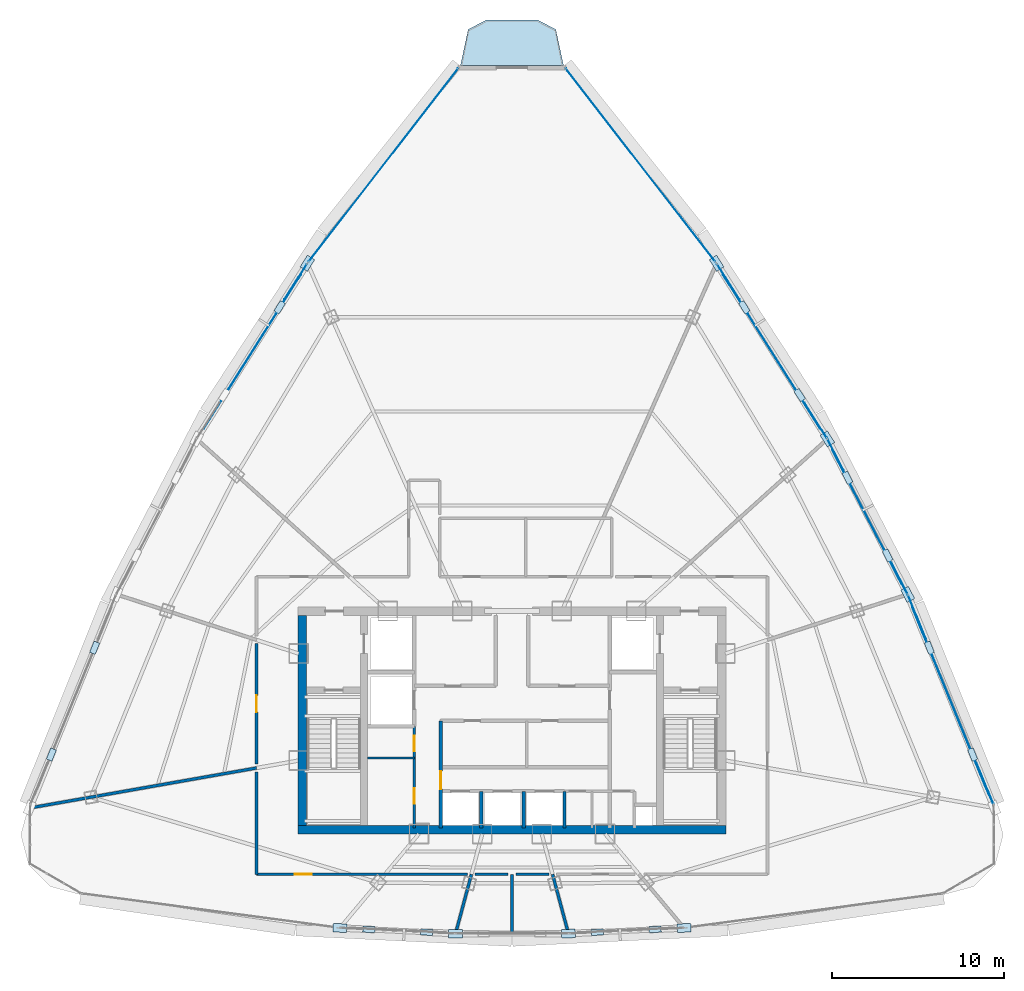
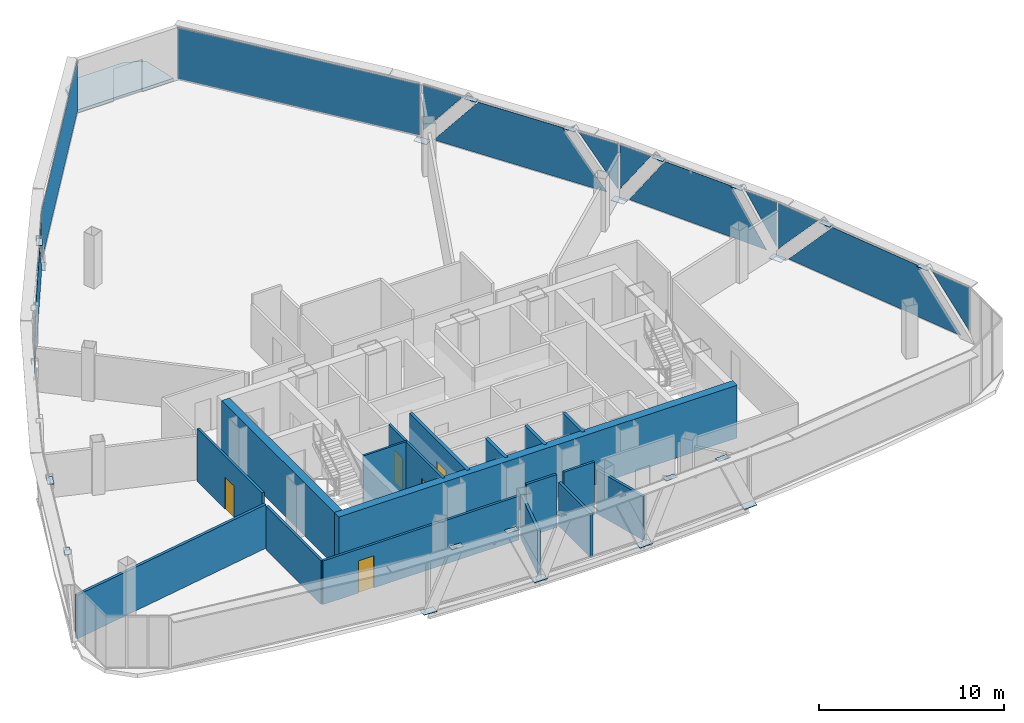
# One storey, part 22 of 28: 34 plates, 17 walls, 5 doors, 1 slab, 5 openings, 6 elements without a shape of their own.
"""IFC4 building model written with IfcOpenShell, lengths in metres."""

from ifc_helpers import new_model, si_unit, direction, frame, frame_2d, origin, origin_with_axes, origin_2d, place, context, subcontext, project, spatial, polyline, rectangle, outline, extrude, source, transform, mapped, material, layer, layer_set, type_object, element, fill, aggregate, save


model = new_model("IFC4")

# Units and contexts
model_context = context("Model", 3, precision=1e-05, world=origin(), true_north=direction((0.0, 1.0)))
body_context = subcontext(model_context, "Body", "Model", "MODEL_VIEW")
ifc_project = project(units=[si_unit("LENGTHUNIT", "METRE"), si_unit("AREAUNIT", "SQUARE_METRE"), si_unit("VOLUMEUNIT", "CUBIC_METRE"), si_unit("PLANEANGLEUNIT", "RADIAN"), si_unit("MASSUNIT", "GRAM", prefix="KILO"), si_unit("THERMODYNAMICTEMPERATUREUNIT", "KELVIN"), si_unit("POWERUNIT", "WATT")], contexts=[model_context])

# Site, building, storey
site_placement = place(None, origin())
site = spatial("IfcSite", under=ifc_project, at=site_placement, CompositionType="ELEMENT")
building_placement = place(site_placement, origin())
building = spatial("IfcBuilding", under=site, at=building_placement, Name="Yunzhuo Pagoda Commons", CompositionType="ELEMENT")
storey_placement = place(building_placement, frame((0.0, 0.0, 336.760009765625)))
storey = spatial("IfcBuildingStorey", under=building, at=storey_placement, Name="L84", CompositionType="ELEMENT", Elevation=336.760009765625)

# Curtain wall, plates
ifc_material_1 = material(Name="Anodized aluminium 6063-T6", Category="aluminium")
ifc_layer_1 = layer(ifc_material_1, 0.139892578125)
ifc_layer_set_1 = layer_set([ifc_layer_1], Name="Anodized aluminium 6063-T6")
curtain_wall_type = type_object("IfcCurtainWallType", Name="CW-HI High-Zone Ribbon Curtain Wall", PredefinedType="NOTDEFINED", material=ifc_layer_set_1)
curtain_wall_1_placement = place(storey_placement, origin())
curtain_wall_1 = element("IfcCurtainWall", 1, at=curtain_wall_1_placement, inside=storey, type_object=curtain_wall_type, Name="L84 curtain wall CW-L84-F2B2", PredefinedType="NOTDEFINED")
ifc_material_2 = material(Name="Tempered low-e double glazing", Category="glass")
ifc_layer_2 = layer(ifc_material_2, 0.02587890625)
ifc_layer_set_2 = layer_set([ifc_layer_2], Name="Tempered low-e double glazing")
plate_type_1 = type_object("IfcPlateType", Name="CW-HI-P Low-E Double Glazing 26", PredefinedType="CURTAIN_PANEL", material=ifc_layer_set_2)
plate_1_placement = place(storey_placement, frame((75.484619140625, 30.166748046875, 2.00634765625), z_axis=(0.925729863061, 0.37818543155, 0.0), x_axis=(-0.37818543155, 0.925729863061, 0.0)))
plate_1 = element("IfcPlate", 2, at=plate_1_placement, type_object=plate_type_1, Name="CW panel 1.1 lite 1", PredefinedType="CURTAIN_PANEL", context=body_context, shape_type="SweptSolid", body=[
    extrude(outline(polyline([(-1.2763671875, -1.4287109375), (1.2763671875, 1.4287109375), (-1.2763671875, 1.4287109375), (-1.2763671875, -1.4287109375)])), origin(), (0.0, 0.0, 1.0), 0.028076171875),
])
plate_2_placement = place(storey_placement, frame((73.495849609375, 34.955078125, 1.744873046875), z_axis=(0.925729863061, 0.37818543155, 0.0), x_axis=(-0.37818543155, 0.925729863061, 0.0)))
plate_2 = element("IfcPlate", 3, at=plate_2_placement, type_object=plate_type_1, Name="CW panel 1.1 lite 2", PredefinedType="CURTAIN_PANEL", context=body_context, shape_type="SweptSolid", body=[
    extrude(outline(polyline([(-5.908935546875, -1.68994140625), (5.908935546875, -1.68994140625), (2.889404296875, 1.68994140625), (-2.889404296875, 1.68994140625), (-5.908935546875, -1.68994140625)])), origin(), (0.0, 0.0, 1.0), 0.028076171875),
])
plate_3_placement = place(storey_placement, frame((71.529052734375, 39.848876953125, 1.90625), z_axis=(0.925729863061, 0.37818543155, 0.0), x_axis=(-0.37818543155, 0.925729863061, 0.0)))
plate_3 = element("IfcPlate", 4, at=plate_3_placement, type_object=plate_type_1, Name="CW panel 1.1 lite 3", PredefinedType="CURTAIN_PANEL", context=body_context, shape_type="SweptSolid", body=[
    extrude(outline(polyline([(-1.36572265625, 1.52880859375), (1.36572265625, -1.52880859375), (1.36572265625, 1.52880859375), (-1.36572265625, 1.52880859375)])), origin(), (0.0, 0.0, 1.0), 0.028076171875),
])
aggregate(curtain_wall_1, [plate_1, plate_2, plate_3])

curtain_wall_2_placement = place(storey_placement, origin())
curtain_wall_2 = element("IfcCurtainWall", 5, at=curtain_wall_2_placement, inside=storey, type_object=curtain_wall_type, Name="L84 curtain wall CW-L84-F2B3", PredefinedType="NOTDEFINED")
plate_4_placement = place(storey_placement, frame((70.507080078125, 42.103271484375, 1.97021484375), z_axis=(0.888380452968, 0.459108016467, 0.0), x_axis=(-0.459108016467, 0.888380452968, 0.0)))
plate_4 = element("IfcPlate", 6, at=plate_4_placement, type_object=plate_type_1, Name="CW panel 1.1 lite 1", PredefinedType="CURTAIN_PANEL", context=body_context, shape_type="SweptSolid", body=[
    extrude(outline(polyline([(-0.992919921875, -1.464599609375), (0.992919921875, 1.464599609375), (-0.992919921875, 1.464599609375), (-0.992919921875, -1.464599609375)])), origin(), (0.0, 0.0, 1.0), 0.028076171875),
])
plate_5_placement = place(storey_placement, frame((68.62939453125, 45.6708984375, 1.744873046875), z_axis=(0.888380452968, 0.459108016467, 0.0), x_axis=(-0.459108016467, 0.888380452968, 0.0)))
plate_5 = element("IfcPlate", 7, at=plate_5_placement, type_object=plate_type_1, Name="CW panel 1.1 lite 2", PredefinedType="CURTAIN_PANEL", context=body_context, shape_type="SweptSolid", body=[
    extrude(outline(polyline([(-4.411865234375, -1.68994140625), (4.411865234375, -1.68994140625), (2.120361328125, 1.68994140625), (-2.120361328125, 1.68994140625), (-4.411865234375, -1.68994140625)])), origin(), (0.0, 0.0, 1.0), 0.028076171875),
])
plate_6_placement = place(storey_placement, frame((66.80517578125, 49.266357421875, 1.97021484375), z_axis=(0.888380452968, 0.459108016467, 0.0), x_axis=(-0.459108016467, 0.888380452968, 0.0)))
plate_6 = element("IfcPlate", 8, at=plate_6_placement, type_object=plate_type_1, Name="CW panel 1.1 lite 3", PredefinedType="CURTAIN_PANEL", context=body_context, shape_type="SweptSolid", body=[
    extrude(outline(polyline([(-0.992919921875, 1.464599609375), (0.992919921875, -1.464599609375), (0.992919921875, 1.464599609375), (-0.992919921875, 1.464599609375)])), origin(), (0.0, 0.0, 1.0), 0.028076171875),
])
aggregate(curtain_wall_2, [plate_4, plate_5, plate_6])

curtain_wall_3_placement = place(storey_placement, origin())
curtain_wall_3 = element("IfcCurtainWall", 9, at=curtain_wall_3_placement, inside=storey, type_object=curtain_wall_type, Name="L84 curtain wall CW-L84-F2B4", PredefinedType="NOTDEFINED")
plate_7_placement = place(storey_placement, frame((65.643310546875, 51.277099609375, 1.927978515625), z_axis=(0.845817518552, 0.533472328532, 0.0), x_axis=(-0.533472328532, 0.845817518552, 0.0)))
plate_7 = element("IfcPlate", 10, at=plate_7_placement, type_object=plate_type_1, Name="CW panel 1.1 lite 1", PredefinedType="CURTAIN_PANEL", context=body_context, shape_type="SweptSolid", body=[
    extrude(outline(polyline([(-1.212890625, -1.507080078125), (1.212890625, 1.507080078125), (-1.212890625, 1.507080078125), (-1.212890625, -1.507080078125)])), origin(), (0.0, 0.0, 1.0), 0.028076171875),
])
plate_8_placement = place(storey_placement, frame((63.077392578125, 55.2890625, 1.744873046875), z_axis=(0.845817518552, 0.533472328532, 0.0), x_axis=(-0.533472328532, 0.845817518552, 0.0)))
plate_8 = element("IfcPlate", 11, at=plate_8_placement, type_object=plate_type_1, Name="CW panel 1.1 lite 2", PredefinedType="CURTAIN_PANEL", context=body_context, shape_type="SweptSolid", body=[
    extrude(outline(polyline([(-5.293701171875, -1.68994140625), (5.293701171875, -1.68994140625), (2.573974609375, 1.68994140625), (-2.573974609375, 1.68994140625), (-5.293701171875, -1.68994140625)])), origin(), (0.0, 0.0, 1.0), 0.028076171875),
])
plate_9_placement = place(storey_placement, frame((60.562255859375, 59.3330078125, 1.927978515625), z_axis=(0.845817518552, 0.533472328532, 0.0), x_axis=(-0.533472328532, 0.845817518552, 0.0)))
plate_9 = element("IfcPlate", 12, at=plate_9_placement, type_object=plate_type_1, Name="CW panel 1.1 lite 3", PredefinedType="CURTAIN_PANEL", context=body_context, shape_type="SweptSolid", body=[
    extrude(outline(polyline([(-1.212890625, 1.507080078125), (1.212890625, -1.507080078125), (1.212890625, 1.507080078125), (-1.212890625, 1.507080078125)])), origin(), (0.0, 0.0, 1.0), 0.028076171875),
])
aggregate(curtain_wall_3, [plate_7, plate_8, plate_9])

curtain_wall_4_placement = place(storey_placement, origin())
curtain_wall_4 = element("IfcCurtainWall", 13, at=curtain_wall_4_placement, inside=storey, type_object=curtain_wall_type, Name="L84 curtain wall CW-L84-F3B2", PredefinedType="NOTDEFINED")
plate_10_placement = place(storey_placement, frame((35.437744140625, 59.3330078125, 1.927978515625), z_axis=(-0.845817518552, 0.533472328532, 0.0), x_axis=(-0.533472328532, -0.845817518552, 0.0)))
plate_10 = element("IfcPlate", 14, at=plate_10_placement, type_object=plate_type_1, Name="CW panel 1.1 lite 1", PredefinedType="CURTAIN_PANEL", context=body_context, shape_type="SweptSolid", body=[
    extrude(outline(polyline([(-1.212890625, -1.507080078125), (1.212890625, 1.507080078125), (-1.212890625, 1.507080078125), (-1.212890625, -1.507080078125)])), origin(), (0.0, 0.0, 1.0), 0.028076171875),
])
plate_11_placement = place(storey_placement, frame((32.922607421875, 55.2890625, 1.744873046875), z_axis=(-0.845817518552, 0.533472328532, 0.0), x_axis=(-0.533472328532, -0.845817518552, 0.0)))
plate_11 = element("IfcPlate", 15, at=plate_11_placement, type_object=plate_type_1, Name="CW panel 1.1 lite 2", PredefinedType="CURTAIN_PANEL", context=body_context, shape_type="SweptSolid", body=[
    extrude(outline(polyline([(-5.293701171875, -1.68994140625), (5.293701171875, -1.68994140625), (2.573974609375, 1.68994140625), (-2.573974609375, 1.68994140625), (-5.293701171875, -1.68994140625)])), origin(), (0.0, 0.0, 1.0), 0.028076171875),
])
aggregate(curtain_wall_4, [plate_10, plate_11])

# Slab
ifc_material_3 = material(Name="Concrete C40", Category="concrete")
ifc_layer_3 = layer(ifc_material_3, 0.199951171875)
ifc_layer_set_3 = layer_set([ifc_layer_3], Name="Concrete C40")
slab_type = type_object("IfcSlabType", Name="SL-BAL Vertex Balcony Deck Slab 200", PredefinedType="FLOOR", material=ifc_layer_set_3)
slab_placement = place(storey_placement, frame((0.0, 0.0, -0.199951171875)))
element("IfcSlab", 16, at=slab_placement, inside=storey, type_object=slab_type, Name="L84 corner balcony V3", PredefinedType="FLOOR", context=body_context, shape_type="SweptSolid", body=[
    extrude(outline(polyline([(50.996337890625, 71.916259765625), (45.003662109375, 71.916259765625), (45.45361328125, 74.01123046875), (46.501708984375, 74.561279296875), (49.498291015625, 74.561279296875), (50.54638671875, 74.01123046875), (50.996337890625, 71.916259765625)])), origin(), (0.0, 0.0, 1.0), 0.199951171875),
])

# Plates
ifc_material_4 = material(Name="Structural steel Q355B", Category="steel")
ifc_layer_4 = layer(ifc_material_4, 0.028076171875)
ifc_layer_set_4 = layer_set([ifc_layer_4], Name="Structural steel Q355B")
plate_type_2 = type_object("IfcPlateType", Name="SP-ND1 Lattice Node Cap Plate 800x500x28", PredefinedType="USERDEFINED", material=ifc_layer_set_4)
shared_shape_1 = source(origin(), body_context, "Body", "SweptSolid", [
    extrude(rectangle(XDim=0.800048828125, YDim=0.5, at=origin_2d()), origin(), (0.0, 0.0, 1.0), 0.028076171875),
])
for number, where, z_axis, x_axis, name in (
    (17, (37.9990234375, 21.781494140625, -0.27392578125), (0.0, 0.0, 1.0), (0.998803578204, -0.048902067096, 0.0), "L84 diamond node plate F1.1A"),
    (18, (44.71826171875, 21.452392578125, -0.27392578125), (0.0, 0.0, 1.0), (1.0, 0.0, 0.0), "L84 diamond node plate F1.2A"),
    (19, (51.28173828125, 21.452392578125, -0.27392578125), (0.0, 0.0, 1.0), (0.998803578204, 0.048902067096, 0.0), "L84 diamond node plate F1.3A"),
    (20, (58.0009765625, 21.781494140625, -0.27392578125), (0.0, 0.0, 1.0), (0.998803578204, 0.048902067096, 0.0), "L84 diamond node plate F1.3B"),
    (21, (71.0029296875, 41.174072265625, -0.27392578125), (0.0, 0.0, 1.0), (-0.459114770487, 0.888376962511, 0.0), "L84 diamond node plate F2.2A"),
    (22, (66.334228515625, 50.2080078125, -0.27392578125), (0.0, 0.0, 1.0), (-0.533466900438, 0.845820942125, 0.0), "L84 diamond node plate F2.3A"),
    (23, (59.895263671875, 60.4169921875, -0.27392578125), (0.0, 0.0, 1.0), (-0.533466900438, 0.845820942125, 0.0), "L84 diamond node plate F2.3B"),
    (24, (36.104736328125, 60.4169921875, -0.27392578125), (0.0, 0.0, 1.0), (-0.533466900438, -0.845820942125, 0.0), "L84 diamond node plate F3.1A"),
):
    element("IfcPlate", number, at=place(storey_placement, frame(where, z_axis=z_axis, x_axis=x_axis)), inside=storey, type_object=plate_type_2, Name=name, ObjectType="STIFFENER_PLATE", PredefinedType="USERDEFINED", context=body_context, shape_type="MappedRepresentation", body=[
        mapped(shared_shape_1, transform((0.0, 0.0, 0.0), scale=1.0)),
    ])
shared_shape_2 = source(origin(), body_context, "Body", "SweptSolid", [
    extrude(rectangle(XDim=0.699951171875, YDim=0.35009765625, at=origin_2d()), origin(), (0.0, 0.0, 1.0), 0.035888671875),
])
for number, where, z_axis, x_axis, name in (
    (25, (39.678955078125, 21.69921875, 3.4521484375), (0.0, 0.0, 1.0), (0.998803578204, -0.048902067096, 0.0), "L84 setback lattice tie plate F1.1L"),
    (26, (43.03857421875, 21.53466796875, 3.4521484375), (0.0, 0.0, 1.0), (0.998803578204, -0.048902067096, 0.0), "L84 setback lattice tie plate F1.1R"),
    (27, (52.96142578125, 21.53466796875, 3.4521484375), (0.0, 0.0, 1.0), (0.998803578204, 0.048902067096, 0.0), "L84 setback lattice tie plate F1.3L"),
    (28, (56.321044921875, 21.69921875, 3.4521484375), (0.0, 0.0, 1.0), (0.998803578204, 0.048902067096, 0.0), "L84 setback lattice tie plate F1.3R"),
    (29, (74.779296875, 31.860595703125, 3.4521484375), (0.0, 0.0, 1.0), (-0.375755256687, 0.926718936395, 0.0), "L84 setback lattice tie plate F2.1L"),
    (30, (72.26171875, 38.069580078125, 3.4521484375), (0.0, 0.0, 1.0), (-0.375755256687, 0.926718936395, 0.0), "L84 setback lattice tie plate F2.1R"),
    (31, (69.835693359375, 43.4326171875, 3.4521484375), (0.0, 0.0, 1.0), (-0.459114770487, 0.888376962511, 0.0), "L84 setback lattice tie plate F2.2L"),
    (32, (67.50146484375, 47.94970703125, 3.4521484375), (0.0, 0.0, 1.0), (-0.459114770487, 0.888376962511, 0.0), "L84 setback lattice tie plate F2.2R"),
    (33, (64.724365234375, 52.760498046875, 3.4521484375), (0.0, 0.0, 1.0), (-0.533466900438, 0.845820942125, 0.0), "L84 setback lattice tie plate F2.3L"),
    (34, (61.5048828125, 57.86474609375, 3.4521484375), (0.0, 0.0, 1.0), (-0.533466900438, 0.845820942125, 0.0), "L84 setback lattice tie plate F2.3R"),
    (35, (34.4951171875, 57.86474609375, 3.4521484375), (0.0, 0.0, 1.0), (-0.533466900438, -0.845820942125, 0.0), "L84 setback lattice tie plate F3.1L"),
    (36, (23.73828125, 38.069580078125, 3.4521484375), (0.0, 0.0, 1.0), (-0.375755256687, -0.926718936395, 0.0), "L84 setback lattice tie plate F3.3L"),
    (37, (21.220703125, 31.860595703125, 3.4521484375), (0.0, 0.0, 1.0), (-0.375755256687, -0.926718936395, 0.0), "L84 setback lattice tie plate F3.3R"),
):
    element("IfcPlate", number, at=place(storey_placement, frame(where, z_axis=z_axis, x_axis=x_axis)), inside=storey, type_object=plate_type_2, Name=name, ObjectType="STIFFENER_PLATE", PredefinedType="USERDEFINED", context=body_context, shape_type="MappedRepresentation", body=[
        mapped(shared_shape_2, transform((0.0, 0.0, 0.0), scale=1.0)),
    ])

# Curtain wall, plate
curtain_wall_5_placement = place(storey_placement, origin())
curtain_wall_5 = element("IfcCurtainWall", 38, at=curtain_wall_5_placement, inside=storey, type_object=curtain_wall_type, Name="L84 curtain wall CW-L84-F2B5", PredefinedType="NOTDEFINED")
shared_shape_3 = source(origin(), body_context, "Body", "SweptSolid", [
    extrude(rectangle(XDim=14.180419921875, YDim=0.028076171875, at=origin_2d()), origin(), (0.0, 0.0, 1.0), 3.3798828125),
])
plate_12_placement = place(storey_placement, frame((55.470458984375, 66.12890625, 0.054931640625), z_axis=(0.0, 0.0, 1.0), x_axis=(-0.612426610189, 0.79052744869, 0.0)))
plate_12 = element("IfcPlate", 39, at=plate_12_placement, type_object=plate_type_1, Name="CW panel 1.1", PredefinedType="CURTAIN_PANEL", context=body_context, shape_type="MappedRepresentation", body=[
    mapped(shared_shape_3, transform((0.0, 0.0, 0.0), scale=1.0)),
])
aggregate(curtain_wall_5, [plate_12])

curtain_wall_6_placement = place(storey_placement, origin())
curtain_wall_6 = element("IfcCurtainWall", 40, at=curtain_wall_6_placement, inside=storey, type_object=curtain_wall_type, Name="L84 curtain wall CW-L84-F3B1", PredefinedType="NOTDEFINED")
plate_13_placement = place(storey_placement, frame((40.529541015625, 66.12890625, 0.054931640625), z_axis=(0.0, 0.0, 1.0), x_axis=(-0.612426610189, -0.79052744869, 0.0)))
plate_13 = element("IfcPlate", 41, at=plate_13_placement, type_object=plate_type_1, Name="CW panel 1.1", PredefinedType="CURTAIN_PANEL", context=body_context, shape_type="MappedRepresentation", body=[
    mapped(shared_shape_3, transform((0.0, 0.0, 0.0), scale=1.0)),
])
aggregate(curtain_wall_6, [plate_13])

# Walls
ifc_material_5 = material(Name="Concrete C50", Category="concrete")
ifc_layer_5 = layer(ifc_material_5, 0.5)
ifc_layer_set_5 = layer_set([ifc_layer_5], Name="Concrete C50")
wall_type_1 = type_object("IfcWallType", Name="W-C03 Upper Core Shear Wall 500", PredefinedType="SHEAR", material=ifc_layer_set_5)
wall_1_placement = place(storey_placement, frame((35.550048828125, 27.5, 0.0), z_axis=(0.0, 0.0, 1.0), x_axis=(1.0, 0.0, 0.0)))
element("IfcWall", 42, at=wall_1_placement, inside=storey, type_object=wall_type_1, Name="L84 core shear wall S", PredefinedType="SHEAR", context=body_context, shape_type="SweptSolid", body=[
    extrude(rectangle(XDim=24.89990234375, YDim=0.5, at=frame_2d((12.449951171875, 0.0))), origin(), (0.0, 0.0, 1.0), 3.489990234375),
])
wall_2_placement = place(storey_placement, frame((35.800048828125, 27.75, 0.0), z_axis=(0.0, 0.0, 1.0), x_axis=(0.0, 1.0, 0.0)))
element("IfcWall", 43, at=wall_2_placement, inside=storey, type_object=wall_type_1, Name="L84 core shear wall W", PredefinedType="SHEAR", context=body_context, shape_type="SweptSolid", body=[
    extrude(rectangle(XDim=12.199951171875, YDim=0.5, at=frame_2d((6.10009765625, 0.0))), origin(), (0.0, 0.0, 1.0), 3.489990234375),
])

# Wall, openings, doors
ifc_material_6 = material(Name="Gypsum plasterboard on acoustic stud")
ifc_layer_6 = layer(ifc_material_6, 0.14990234375)
ifc_layer_set_6 = layer_set([ifc_layer_6], Name="Gypsum plasterboard on acoustic stud")
wall_type_2 = type_object("IfcWallType", Name="W-COR3 High-Zone Rated Corridor Wall 150", PredefinedType="PARTITIONING", material=ifc_layer_set_6)
wall_3_placement = place(storey_placement, frame((42.320068359375, 27.60009765625, 0.0), z_axis=(0.0, 0.0, 1.0), x_axis=(0.0, 1.0, 0.0)))
wall_3 = element("IfcWall", 44, at=wall_3_placement, inside=storey, type_object=wall_type_2, Name="L84 interior wall IW-L84-CSWE", PredefinedType="PARTITIONING", context=body_context, shape_type="SweptSolid", body=[
    extrude(rectangle(XDim=5.89990234375, YDim=0.14990234375, at=frame_2d((2.949951171875, 0.0))), origin(), (0.0, 0.0, 1.0), 3.489990234375),
])
opening_1_placement = place(wall_3_placement, frame((1.39990234375, 0.0, 0.0)))
opening_1 = element("IfcOpeningElement", 45, at=opening_1_placement, cuts=wall_3, Name="Opening D-03", PredefinedType="OPENING", context=body_context, shape_type="SweptSolid", body=[
    extrude(rectangle(XDim=0.89990234375, YDim=2.10009765625, at=frame_2d((0.449951171875, 1.050048828125))), frame((0.0, 0.0849609375, 0.0), z_axis=(0.0, -1.0, 0.0), x_axis=(1.0, 0.0, 0.0)), (0.0, 0.0, 1.0), 0.169921875),
])
opening_2_placement = place(wall_3_placement, frame((4.449951171875, 0.0, 0.0)))
opening_2 = element("IfcOpeningElement", 46, at=opening_2_placement, cuts=wall_3, Name="Opening D-03", PredefinedType="OPENING", context=body_context, shape_type="SweptSolid", body=[
    extrude(rectangle(XDim=0.89990234375, YDim=2.10009765625, at=frame_2d((0.449951171875, 1.050048828125))), frame((0.0, 0.0849609375, 0.0), z_axis=(0.0, -1.0, 0.0), x_axis=(1.0, 0.0, 0.0)), (0.0, 0.0, 1.0), 0.169921875),
])
ifc_material_7 = material(Name="Galvanized fire-resisting metal leaf")
door_type_1 = type_object("IfcDoorType", Name="D-03 Core Service Fire Door 900x2100", OperationType="NOTDEFINED", PredefinedType="DOOR", material=ifc_material_7)
shared_shape_4 = source(origin(), body_context, "Body", "SweptSolid", [
    extrude(rectangle(XDim=0.89990234375, YDim=2.10009765625, at=frame_2d((0.449951171875, 1.050048828125))), frame((0.0, 0.02490234375, 0.0), z_axis=(0.0, -1.0, 0.0), x_axis=(1.0, 0.0, 0.0)), (0.0, 0.0, 1.0), 0.050048828125),
])
door_1_placement = place(opening_1_placement, origin_with_axes())
door_1 = element("IfcDoor", 47, at=door_1_placement, inside=storey, type_object=door_type_1, Name="L84 service store door", OperationType="SINGLE_SWING_LEFT", OverallHeight=2.10009765625, OverallWidth=0.89990234375, PredefinedType="DOOR", context=body_context, shape_type="MappedRepresentation", body=[
    mapped(shared_shape_4, transform((0.0, 0.0, 0.0), scale=1.0)),
])
fill(opening_1, door_1)
door_2_placement = place(opening_2_placement, origin_with_axes())
door_2 = element("IfcDoor", 48, at=door_2_placement, inside=storey, type_object=door_type_1, Name="L84 switch closet door", OperationType="SINGLE_SWING_RIGHT", OverallHeight=2.10009765625, OverallWidth=0.89990234375, PredefinedType="DOOR", context=body_context, shape_type="MappedRepresentation", body=[
    mapped(shared_shape_4, transform((0.0, 0.0, 0.0), scale=1.0)),
])
fill(opening_2, door_2)

# Wall
wall_4_placement = place(storey_placement, frame((33.14990234375, 24.89990234375, 0.0), z_axis=(0.0, 0.0, 1.0), x_axis=(0.0, 1.0, 0.0)))
element("IfcWall", 49, at=wall_4_placement, inside=storey, type_object=wall_type_2, Name="L84 interior wall IW-L84-CWL01", PredefinedType="PARTITIONING", context=body_context, shape_type="SweptSolid", body=[
    extrude(rectangle(XDim=5.958251953125, YDim=0.14990234375, at=frame_2d((2.97900390625, 0.0))), origin(), (0.0, 0.0, 1.0), 2.889892578125),
])

# Wall, opening, door
wall_5_placement = place(storey_placement, frame((33.14990234375, 31.30126953125, 0.0), z_axis=(0.0, 0.0, 1.0), x_axis=(0.0, 1.0, 0.0)))
wall_5 = element("IfcWall", 50, at=wall_5_placement, inside=storey, type_object=wall_type_2, Name="L84 interior wall IW-L84-CWL02", PredefinedType="PARTITIONING", context=body_context, shape_type="SweptSolid", body=[
    extrude(rectangle(XDim=7.004150390625, YDim=0.14990234375, at=frame_2d((3.501953125, 0.0))), origin(), (0.0, 0.0, 1.0), 3.489990234375),
])
opening_3_placement = place(wall_5_placement, frame((3.027099609375, 0.0, 0.0)))
opening_3 = element("IfcOpeningElement", 51, at=opening_3_placement, cuts=wall_5, Name="Opening D-08", PredefinedType="OPENING", context=body_context, shape_type="SweptSolid", body=[
    extrude(rectangle(XDim=0.97998046875, YDim=2.1201171875, at=frame_2d((0.489990234375, 1.06005859375))), frame((0.0, 0.0849609375, 0.0), z_axis=(0.0, -1.0, 0.0), x_axis=(1.0, 0.0, 0.0)), (0.0, 0.0, 1.0), 0.169921875),
])
door_type_2 = type_object("IfcDoorType", Name="D-08 High-Zone Suite Entrance Fire Door 980x2120", OperationType="NOTDEFINED", PredefinedType="DOOR", material=ifc_material_7)
shared_shape_5 = source(origin(), body_context, "Body", "SweptSolid", [
    extrude(rectangle(XDim=0.97998046875, YDim=2.1201171875, at=frame_2d((0.489990234375, 1.06005859375))), frame((0.0, 0.02490234375, 0.0), z_axis=(0.0, -1.0, 0.0), x_axis=(1.0, 0.0, 0.0)), (0.0, 0.0, 1.0), 0.050048828125),
])
door_3_placement = place(opening_3_placement, origin_with_axes())
door_3 = element("IfcDoor", 52, at=door_3_placement, inside=storey, type_object=door_type_2, Name="L84 unit 05 entrance door", OperationType="SINGLE_SWING_RIGHT", OverallHeight=2.1201171875, OverallWidth=0.97998046875, PredefinedType="DOOR", context=body_context, shape_type="MappedRepresentation", body=[
    mapped(shared_shape_5, transform((0.0, 0.0, 0.0), scale=1.0)),
])
fill(opening_3, door_3)

# Walls
for number, where, z_axis, x_axis, name in (
    (53, (50.13818359375, 24.89990234375, 0.0), (0.0, 0.0, 1.0), (-1.0, 0.0, 0.0), "L84 interior wall IW-L84-CWL15"),
    (54, (47.780029296875, 24.89990234375, 0.0), (0.0, 0.0, 1.0), (-1.0, 0.0, 0.0), "L84 interior wall IW-L84-CWL16"),
):
    element("IfcWall", number, at=place(storey_placement, frame(where, z_axis=z_axis, x_axis=x_axis)), inside=storey, type_object=wall_type_2, Name=name, PredefinedType="PARTITIONING", context=body_context, shape_type="SweptSolid", body=[
        extrude(rectangle(XDim=1.918212890625, YDim=0.14990234375, at=frame_2d((0.958984375, 0.0))), origin(), (0.0, 0.0, 1.0), 3.489990234375),
    ])

# Wall, opening, door
wall_6_placement = place(storey_placement, frame((45.414306640625, 24.89990234375, 0.0), z_axis=(0.0, 0.0, 1.0), x_axis=(-1.0, 0.0, 0.0)))
wall_6 = element("IfcWall", 55, at=wall_6_placement, inside=storey, type_object=wall_type_2, Name="L84 interior wall IW-L84-CWL17", PredefinedType="PARTITIONING", context=body_context, shape_type="SweptSolid", body=[
    extrude(rectangle(XDim=12.264404296875, YDim=0.14990234375, at=frame_2d((6.13232421875, 0.0))), origin(), (0.0, 0.0, 1.0), 2.889892578125),
])
opening_4_placement = place(wall_6_placement, frame((9.06396484375, 0.0, 0.0)))
opening_4 = element("IfcOpeningElement", 56, at=opening_4_placement, cuts=wall_6, Name="Opening D-08", PredefinedType="OPENING", context=body_context, shape_type="SweptSolid", body=[
    extrude(rectangle(XDim=0.97998046875, YDim=2.1201171875, at=frame_2d((0.489990234375, 1.06005859375))), frame((0.0, 0.0849609375, 0.0), z_axis=(0.0, -1.0, 0.0), x_axis=(1.0, 0.0, 0.0)), (0.0, 0.0, 1.0), 0.169921875),
])
door_4_placement = place(opening_4_placement, origin_with_axes())
door_4 = element("IfcDoor", 57, at=door_4_placement, inside=storey, type_object=door_type_2, Name="L84 Resident Co-Living Commons Hall door", OperationType="SINGLE_SWING_LEFT", OverallHeight=2.1201171875, OverallWidth=0.97998046875, PredefinedType="DOOR", context=body_context, shape_type="MappedRepresentation", body=[
    mapped(shared_shape_5, transform((0.0, 0.0, 0.0), scale=1.0)),
])
fill(opening_4, door_4)

# Walls
ifc_layer_7 = layer(ifc_material_6, 0.1201171875)
ifc_layer_set_7 = layer_set([ifc_layer_7], Name="Gypsum plasterboard on acoustic stud")
wall_type_3 = type_object("IfcWallType", Name="W-PRT1 Suite & Bathroom Partition 120", PredefinedType="PARTITIONING", material=ifc_layer_set_7)
wall_7_placement = place(storey_placement, frame((39.60009765625, 31.64990234375, 0.0), z_axis=(0.0, 0.0, 1.0), x_axis=(1.0, 0.0, 0.0)))
element("IfcWall", 58, at=wall_7_placement, inside=storey, type_object=wall_type_3, Name="L84 interior wall IW-L84-CD1", PredefinedType="PARTITIONING", context=body_context, shape_type="SweptSolid", body=[
    extrude(rectangle(XDim=2.719970703125, YDim=0.1201171875, at=frame_2d((1.35986328125, 0.0))), origin(), (0.0, 0.0, 1.0), 3.489990234375),
])
ifc_layer_8 = layer(ifc_material_6, 0.169921875)
ifc_layer_set_8 = layer_set([ifc_layer_8], Name="Gypsum plasterboard on acoustic stud")
wall_type_4 = type_object("IfcWallType", Name="W-PRT4 High-Zone Demising Wall 170", PredefinedType="PARTITIONING", material=ifc_layer_set_8)
wall_8_placement = place(storey_placement, frame((33.14990234375, 31.08154296875, 0.0), z_axis=(0.0, 0.0, 1.0), x_axis=(-0.984808938627, -0.173641453575, 0.0)))
element("IfcWall", 59, at=wall_8_placement, inside=storey, type_object=wall_type_4, Name="L84 interior wall IW-L84-RAD06", PredefinedType="PARTITIONING", context=body_context, shape_type="SweptSolid", body=[
    extrude(rectangle(XDim=13.3583984375, YDim=0.169921875, at=frame_2d((6.67919921875, 0.0))), origin(), (0.0, 0.0, 1.0), 2.889892578125),
])
wall_9_placement = place(storey_placement, frame((45.64208984375, 24.89990234375, 0.0), z_axis=(0.0, 0.0, 1.0), x_axis=(-0.258837518281, -0.965920876227, 0.0)))
element("IfcWall", 60, at=wall_9_placement, inside=storey, type_object=wall_type_4, Name="L84 interior wall IW-L84-RAD07", PredefinedType="PARTITIONING", context=body_context, shape_type="SweptSolid", body=[
    extrude(rectangle(XDim=3.569091796875, YDim=0.169921875, at=frame_2d((1.78466796875, 0.0))), origin(), (0.0, 0.0, 1.0), 2.889892578125),
])
wall_10_placement = place(storey_placement, frame((48.0, 24.89990234375, 0.0), z_axis=(0.0, 0.0, 1.0), x_axis=(0.0, -1.0, 0.0)))
element("IfcWall", 61, at=wall_10_placement, inside=storey, type_object=wall_type_4, Name="L84 interior wall IW-L84-RAD08", PredefinedType="PARTITIONING", context=body_context, shape_type="SweptSolid", body=[
    extrude(rectangle(XDim=3.447509765625, YDim=0.169921875, at=frame_2d((1.7236328125, 0.0))), origin(), (0.0, 0.0, 1.0), 2.889892578125),
])
wall_11_placement = place(storey_placement, frame((50.35791015625, 24.89990234375, 0.0), z_axis=(0.0, 0.0, 1.0), x_axis=(0.258837518281, -0.965920876227, 0.0)))
element("IfcWall", 62, at=wall_11_placement, inside=storey, type_object=wall_type_4, Name="L84 interior wall IW-L84-RAD09", PredefinedType="PARTITIONING", context=body_context, shape_type="SweptSolid", body=[
    extrude(rectangle(XDim=3.569091796875, YDim=0.169921875, at=frame_2d((1.78466796875, 0.0))), origin(), (0.0, 0.0, 1.0), 2.889892578125),
])

# Wall, opening, door
ifc_layer_9 = layer(ifc_material_3, 0.199951171875)
ifc_layer_set_9 = layer_set([ifc_layer_9], Name="Concrete C40")
wall_type_5 = type_object("IfcWallType", Name="W-SHF Shaft & Stair Enclosure Wall 200", PredefinedType="SOLIDWALL", material=ifc_layer_set_9)
wall_12_placement = place(storey_placement, frame((43.85009765625, 27.60009765625, 0.0), z_axis=(0.0, 0.0, 1.0), x_axis=(0.0, 1.0, 0.0)))
wall_12 = element("IfcWall", 63, at=wall_12_placement, inside=storey, type_object=wall_type_5, Name="L84 interior wall IW-L84-PLMW", PredefinedType="SOLIDWALL", context=body_context, shape_type="SweptSolid", body=[
    extrude(rectangle(XDim=6.219970703125, YDim=0.199951171875, at=frame_2d((3.10986328125, 0.0))), origin(), (0.0, 0.0, 1.0), 3.489990234375),
])
opening_5_placement = place(wall_12_placement, frame((2.25, 0.0, 0.0)))
opening_5 = element("IfcOpeningElement", 64, at=opening_5_placement, cuts=wall_12, Name="Opening D-02", PredefinedType="OPENING", context=body_context, shape_type="SweptSolid", body=[
    extrude(rectangle(XDim=1.050048828125, YDim=2.10009765625, at=frame_2d((0.52490234375, 1.050048828125))), frame((0.0, 0.10986328125, 0.0), z_axis=(0.0, -1.0, 0.0), x_axis=(1.0, 0.0, 0.0)), (0.0, 0.0, 1.0), 0.219970703125),
])
door_type_3 = type_object("IfcDoorType", Name="D-02 Firefighting Lobby & Refuge Fire Door 1050x2100", OperationType="NOTDEFINED", PredefinedType="DOOR", material=ifc_material_7)
shared_shape_6 = source(origin(), body_context, "Body", "SweptSolid", [
    extrude(rectangle(XDim=1.050048828125, YDim=2.10009765625, at=frame_2d((0.52490234375, 1.050048828125))), frame((0.0, 0.02490234375, 0.0), z_axis=(0.0, -1.0, 0.0), x_axis=(1.0, 0.0, 0.0)), (0.0, 0.0, 1.0), 0.050048828125),
])
door_5_placement = place(opening_5_placement, frame((1.050048828125, 0.0, 0.0), z_axis=(0.0, 0.0, 1.0), x_axis=(-1.0, 0.0, 0.0)))
door_5 = element("IfcDoor", 65, at=door_5_placement, inside=storey, type_object=door_type_3, Name="L84 High-bank hall west door", OperationType="SINGLE_SWING_LEFT", OverallHeight=2.10009765625, OverallWidth=1.050048828125, PredefinedType="DOOR", context=body_context, shape_type="MappedRepresentation", body=[
    mapped(shared_shape_6, transform((0.0, 0.0, 0.0), scale=1.0)),
])
fill(opening_5, door_5)

# Walls
for number, where, z_axis, x_axis, name in (
    (66, (51.050048828125, 27.60009765625, 0.0), (0.0, 0.0, 1.0), (0.0, 1.0, 0.0), "L84 interior wall IW-L84-PLHE"),
    (67, (46.22509765625, 27.60009765625, 0.0), (0.0, 0.0, 1.0), (0.0, 1.0, 0.0), "L84 interior wall IW-L84-PLHD1"),
    (68, (48.675048828125, 27.60009765625, 0.0), (0.0, 0.0, 1.0), (0.0, 1.0, 0.0), "L84 interior wall IW-L84-PLHD2"),
):
    element("IfcWall", number, at=place(storey_placement, frame(where, z_axis=z_axis, x_axis=x_axis)), inside=storey, type_object=wall_type_5, Name=name, PredefinedType="SOLIDWALL", context=body_context, shape_type="SweptSolid", body=[
        extrude(rectangle(XDim=2.119873046875, YDim=0.199951171875, at=frame_2d((1.06005859375, 0.0))), origin(), (0.0, 0.0, 1.0), 3.489990234375),
    ])

save(model, "model.ifc")
